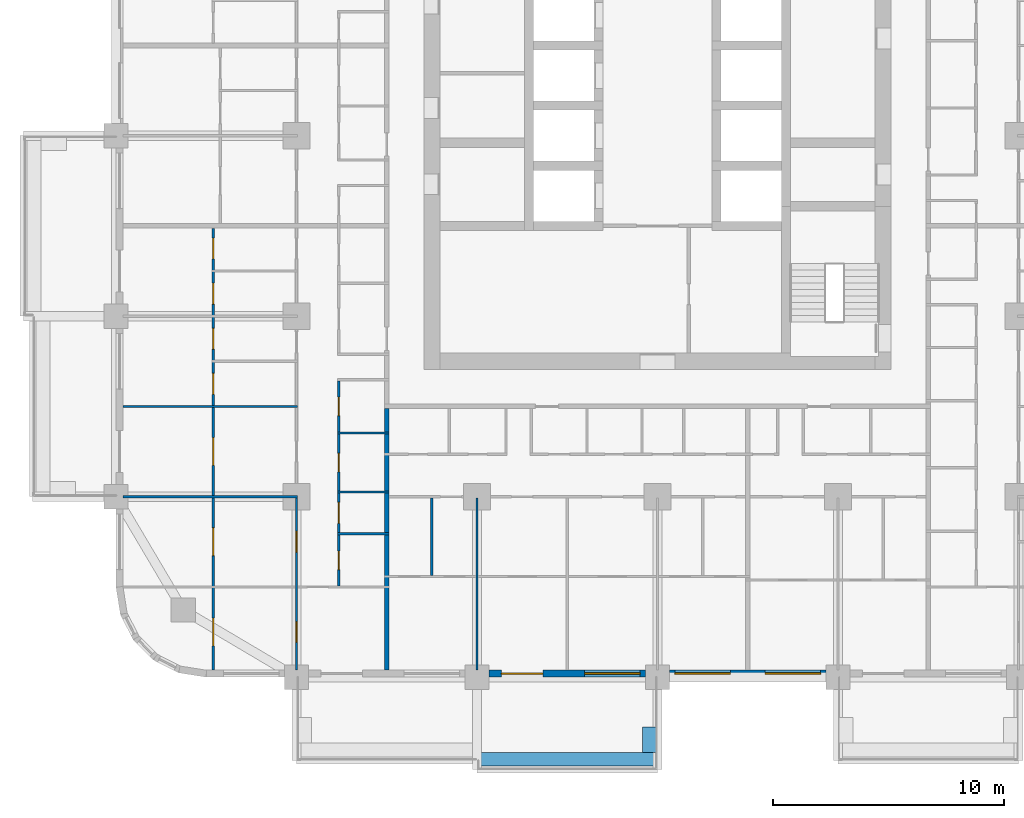
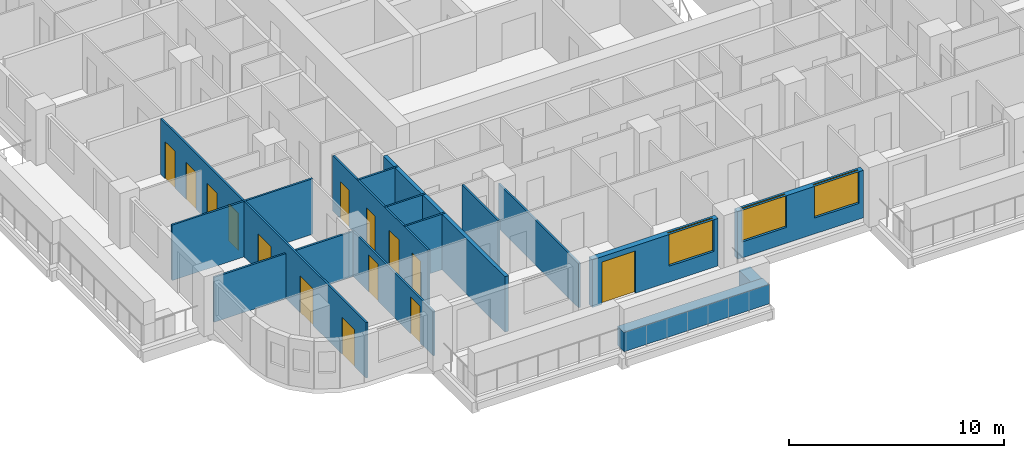
# One storey, part 3 of 17: 15 walls, 14 doors, 3 windows, 17 openings.
"""IFC4 building model written with IfcOpenShell, lengths in metres."""

from ifc_helpers import new_model, si_unit, direction, frame, frame_2d, origin, place, context, subcontext, project, spatial, rectangle, extrude, material, layer, layer_set, type_object, element, fill, save


model = new_model("IFC4")

# Units and contexts
model_context = context("Model", 3, precision=1e-05, world=origin(), true_north=direction((0.0, 1.0)))
body_context = subcontext(model_context, "Body", "Model", "MODEL_VIEW")
ifc_project = project(units=[si_unit("LENGTHUNIT", "METRE"), si_unit("AREAUNIT", "SQUARE_METRE"), si_unit("VOLUMEUNIT", "CUBIC_METRE"), si_unit("PLANEANGLEUNIT", "RADIAN"), si_unit("MASSUNIT", "GRAM", prefix="KILO")], contexts=[model_context])

# Site, building, storey
site_placement = place(None, origin())
site = spatial("IfcSite", under=ifc_project, at=site_placement, CompositionType="ELEMENT")
building_placement = place(site_placement, origin())
building = spatial("IfcBuilding", under=site, at=building_placement, Name="Ludao Terraces", CompositionType="ELEMENT")
storey_placement = place(building_placement, frame((0.0, 0.0, 19.5)))
storey = spatial("IfcBuildingStorey", under=building, at=storey_placement, Name="L04", CompositionType="ELEMENT", Elevation=19.5)

# Walls
ifc_material_1 = material(Name="Concrete C40", Category="concrete")
ifc_layer_1 = layer(ifc_material_1, 0.60009765625)
ifc_layer_set_1 = layer_set([ifc_layer_1], Name="ENV Planter trough 600")
wall_type_1 = type_object("IfcWallType", Name="ENV Planter trough 600", PredefinedType="USERDEFINED", material=ifc_layer_set_1)
wall_1_placement = place(storey_placement, frame((77.199951171875, 38.050048828125, 0.0), z_axis=(0.0, 0.0, 1.0), x_axis=(1.0, 0.0, 0.0)))
element("IfcWall", 1, at=wall_1_placement, inside=storey, type_object=wall_type_1, Name="PL-L04-S2", ObjectType="PLANTER", PredefinedType="USERDEFINED", context=body_context, shape_type="SweptSolid", body=[
    extrude(rectangle(XDim=7.800048828125, YDim=0.60009765625, at=frame_2d((3.89990234375, 0.0))), origin(), (0.0, 0.0, 1.0), 1.10009765625),
])
wall_2_placement = place(storey_placement, frame((84.64990234375, 38.35009765625, 0.0), z_axis=(0.0, 0.0, 1.0), x_axis=(0.0, 1.0, 0.0)))
element("IfcWall", 2, at=wall_2_placement, inside=storey, type_object=wall_type_1, Name="PL-L04-S2-SB", ObjectType="PLANTER", PredefinedType="USERDEFINED", context=body_context, shape_type="SweptSolid", body=[
    extrude(rectangle(XDim=1.099853515625, YDim=0.60009765625, at=frame_2d((0.5498046875, 0.0))), origin(), (0.0, 0.0, 1.0), 1.10009765625),
])

# Wall, openings, door, window
ifc_material_2 = material(Name="Granite cladding", Category="masonry")
ifc_layer_2 = layer(ifc_material_2, 0.0400390625, Category="stone")
ifc_material_3 = material(Name="Mineral wool")
ifc_layer_3 = layer(ifc_material_3, 0.06005859375)
ifc_layer_4 = layer(ifc_material_1, 0.199951171875, Category="concrete")
ifc_layer_set_2 = layer_set([ifc_layer_2, ifc_layer_3, ifc_layer_4], Name="ENV Stone-clad wall 300")
wall_type_2 = type_object("IfcWallType", Name="ENV Stone-clad wall 300", PredefinedType="SOLIDWALL", material=ifc_layer_set_2)
wall_3_placement = place(storey_placement, frame((77.72509765625, 41.75, 0.0), z_axis=(0.0, 0.0, 1.0), x_axis=(1.0, 0.0, 0.0)))
wall_3 = element("IfcWall", 3, at=wall_3_placement, inside=storey, type_object=wall_type_2, Name="EW-L04-S3", PredefinedType="SOLIDWALL", context=body_context, shape_type="SweptSolid", body=[
    extrude(rectangle(XDim=6.75, YDim=0.300048828125, at=frame_2d((3.375, 0.0))), origin(), (0.0, 0.0, 1.0), 2.699951171875),
])
opening_1_placement = place(wall_3_placement, frame((0.52490234375, 0.0, 0.0)))
opening_1 = element("IfcOpeningElement", 4, at=opening_1_placement, cuts=wall_3, Name="Opening BD", PredefinedType="OPENING", context=body_context, shape_type="SweptSolid", body=[
    extrude(rectangle(XDim=1.800048828125, YDim=2.39990234375, at=frame_2d((0.89990234375, 1.199951171875))), frame((0.0, 0.16015625, 0.0), z_axis=(0.0, -1.0, 0.0), x_axis=(1.0, 0.0, 0.0)), (0.0, 0.0, 1.0), 0.320068359375),
])
opening_2_placement = place(wall_3_placement, frame((4.125, 0.0, 0.89990234375)))
opening_2 = element("IfcOpeningElement", 5, at=opening_2_placement, cuts=wall_3, Name="Opening W1", PredefinedType="OPENING", context=body_context, shape_type="SweptSolid", body=[
    extrude(rectangle(XDim=2.39990234375, YDim=1.800048828125, at=frame_2d((1.199951171875, 0.89990234375))), frame((0.0, 0.16015625, 0.0), z_axis=(0.0, -1.0, 0.0), x_axis=(1.0, 0.0, 0.0)), (0.0, 0.0, 1.0), 0.320068359375),
])
ifc_material_4 = material(Name="Aluminium glazed door", Category="aluminium")
ifc_layer_5 = layer(ifc_material_4, 0.06005859375)
ifc_layer_set_3 = layer_set([ifc_layer_5], Name="ENV Balcony door BD 1800x2400")
door_type_1 = type_object("IfcDoorType", Name="ENV Balcony door BD 1800x2400", OperationType="DOUBLE_DOOR_SINGLE_SWING", PredefinedType="DOOR", material=ifc_layer_set_3)
door_1_placement = place(opening_1_placement, origin())
door_1 = element("IfcDoor", 6, at=door_1_placement, inside=storey, type_object=door_type_1, Name="BD-L04-S3-1", OperationType="DOUBLE_DOOR_SINGLE_SWING", OverallHeight=2.39990234375, OverallWidth=1.800048828125, PredefinedType="DOOR", context=body_context, shape_type="SweptSolid", body=[
    extrude(rectangle(XDim=1.800048828125, YDim=2.39990234375, at=frame_2d((0.89990234375, 1.199951171875))), frame((0.0, 0.02490234375, 0.0), z_axis=(0.0, -1.0, 0.0), x_axis=(1.0, 0.0, 0.0)), (0.0, 0.0, 1.0), 0.050048828125),
])
fill(opening_1, door_1)
ifc_material_5 = material(Name="Clear glass in aluminium frame", Category="aluminium")
ifc_layer_6 = layer(ifc_material_5, 0.06005859375)
ifc_layer_set_4 = layer_set([ifc_layer_6], Name="ENV Window W1 2400x1800")
window_type = type_object("IfcWindowType", Name="ENV Window W1 2400x1800", PartitioningType="DOUBLE_PANEL_VERTICAL", PredefinedType="WINDOW", material=ifc_layer_set_4)
window_1_placement = place(opening_2_placement, origin())
window_1 = element("IfcWindow", 7, at=window_1_placement, inside=storey, type_object=window_type, Name="W-L04-S3-2", OverallHeight=1.800048828125, OverallWidth=2.39990234375, PartitioningType="DOUBLE_PANEL_VERTICAL", PredefinedType="WINDOW", context=body_context, shape_type="SweptSolid", body=[
    extrude(rectangle(XDim=2.39990234375, YDim=1.800048828125, at=frame_2d((1.199951171875, 0.89990234375))), frame((0.0, 0.030029296875, 0.0), z_axis=(0.0, -1.0, 0.0), x_axis=(1.0, 0.0, 0.0)), (0.0, 0.0, 1.0), 0.06005859375),
])
fill(opening_2, window_1)

# Wall, openings, windows
wall_4_placement = place(storey_placement, frame((85.52490234375, 41.75, 0.0), z_axis=(0.0, 0.0, 1.0), x_axis=(1.0, 0.0, 0.0)))
wall_4 = element("IfcWall", 8, at=wall_4_placement, inside=storey, type_object=wall_type_2, Name="EW-L04-S4", PredefinedType="SOLIDWALL", context=body_context, shape_type="SweptSolid", body=[
    extrude(rectangle(XDim=6.75, YDim=0.300048828125, at=frame_2d((3.375, 0.0))), origin(), (0.0, 0.0, 1.0), 2.699951171875),
])
opening_3_placement = place(wall_4_placement, frame((0.22509765625, 0.0, 0.89990234375)))
opening_3 = element("IfcOpeningElement", 9, at=opening_3_placement, cuts=wall_4, Name="Opening W1", PredefinedType="OPENING", context=body_context, shape_type="SweptSolid", body=[
    extrude(rectangle(XDim=2.39990234375, YDim=1.800048828125, at=frame_2d((1.199951171875, 0.89990234375))), frame((0.0, 0.16015625, 0.0), z_axis=(0.0, -1.0, 0.0), x_axis=(1.0, 0.0, 0.0)), (0.0, 0.0, 1.0), 0.320068359375),
])
opening_4_placement = place(wall_4_placement, frame((4.125, 0.0, 0.89990234375)))
opening_4 = element("IfcOpeningElement", 10, at=opening_4_placement, cuts=wall_4, Name="Opening W1", PredefinedType="OPENING", context=body_context, shape_type="SweptSolid", body=[
    extrude(rectangle(XDim=2.39990234375, YDim=1.800048828125, at=frame_2d((1.199951171875, 0.89990234375))), frame((0.0, 0.16015625, 0.0), z_axis=(0.0, -1.0, 0.0), x_axis=(1.0, 0.0, 0.0)), (0.0, 0.0, 1.0), 0.320068359375),
])
window_2_placement = place(opening_3_placement, origin())
window_2 = element("IfcWindow", 11, at=window_2_placement, inside=storey, type_object=window_type, Name="W-L04-S4-1", OverallHeight=1.800048828125, OverallWidth=2.39990234375, PartitioningType="DOUBLE_PANEL_VERTICAL", PredefinedType="WINDOW", context=body_context, shape_type="SweptSolid", body=[
    extrude(rectangle(XDim=2.39990234375, YDim=1.800048828125, at=frame_2d((1.199951171875, 0.89990234375))), frame((0.0, 0.030029296875, 0.0), z_axis=(0.0, -1.0, 0.0), x_axis=(1.0, 0.0, 0.0)), (0.0, 0.0, 1.0), 0.06005859375),
])
fill(opening_3, window_2)
window_3_placement = place(opening_4_placement, origin())
window_3 = element("IfcWindow", 12, at=window_3_placement, inside=storey, type_object=window_type, Name="W-L04-S4-2", OverallHeight=1.800048828125, OverallWidth=2.39990234375, PartitioningType="DOUBLE_PANEL_VERTICAL", PredefinedType="WINDOW", context=body_context, shape_type="SweptSolid", body=[
    extrude(rectangle(XDim=2.39990234375, YDim=1.800048828125, at=frame_2d((1.199951171875, 0.89990234375))), frame((0.0, 0.030029296875, 0.0), z_axis=(0.0, -1.0, 0.0), x_axis=(1.0, 0.0, 0.0)), (0.0, 0.0, 1.0), 0.06005859375),
])
fill(opening_4, window_3)

# Walls
ifc_material_6 = material(Name="Gypsum plasterboard", Category="gypsum")
ifc_layer_7 = layer(ifc_material_6, 0.012451171875, Category="gypsum")
ifc_layer_8 = layer(ifc_material_3, 0.06005859375, Name="insulation")
ifc_material_7 = material(Name="Steel Q235", Category="steel")
ifc_layer_9 = layer(ifc_material_7, 0.014892578125, Name="stud")
ifc_layer_10 = layer(ifc_material_6, 0.012451171875, Category="gypsum")
ifc_layer_set_5 = layer_set([ifc_layer_7, ifc_layer_8, ifc_layer_9, ifc_layer_10], Name="INT Partition 100")
wall_type_3 = type_object("IfcWallType", Name="INT Partition 100", PredefinedType="PARTITIONING", material=ifc_layer_set_5)
wall_5_placement = place(storey_placement, frame((71.18017578125, 47.800048828125, 0.0), z_axis=(0.0, 0.0, 1.0), x_axis=(1.0, 0.0, 0.0)))
element("IfcWall", 13, at=wall_5_placement, inside=storey, type_object=wall_type_3, Name="PW-L04-PW005", PredefinedType="PARTITIONING", context=body_context, shape_type="SweptSolid", body=[
    extrude(rectangle(XDim=2.219970703125, YDim=0.10009765625, at=frame_2d((1.10986328125, 0.0))), origin(), (0.0, 0.0, 1.0), 3.14990234375),
])
wall_6_placement = place(storey_placement, frame((61.900146484375, 49.39990234375, 0.0), z_axis=(0.0, 0.0, 1.0), x_axis=(1.0, 0.0, 0.0)))
element("IfcWall", 14, at=wall_6_placement, inside=storey, type_object=wall_type_3, Name="PW-L04-PW007", PredefinedType="PARTITIONING", context=body_context, shape_type="SweptSolid", body=[
    extrude(rectangle(XDim=7.550048828125, YDim=0.10009765625, at=frame_2d((3.77490234375, 0.0))), origin(), (0.0, 0.0, 1.0), 2.550048828125),
])
for number, where, z_axis, x_axis, name in (
    (15, (71.18017578125, 49.60009765625, 0.0), (0.0, 0.0, 1.0), (1.0, 0.0, 0.0), "PW-L04-PW010"),
    (16, (71.18017578125, 52.14990234375, 0.0), (0.0, 0.0, 1.0), (1.0, 0.0, 0.0), "PW-L04-PW015"),
):
    element("IfcWall", number, at=place(storey_placement, frame(where, z_axis=z_axis, x_axis=x_axis)), inside=storey, type_object=wall_type_3, Name=name, PredefinedType="PARTITIONING", context=body_context, shape_type="SweptSolid", body=[
        extrude(rectangle(XDim=2.219970703125, YDim=0.10009765625, at=frame_2d((1.10986328125, 0.0))), origin(), (0.0, 0.0, 1.0), 3.14990234375),
    ])
wall_7_placement = place(storey_placement, frame((61.900146484375, 53.300048828125, 0.0), z_axis=(0.0, 0.0, 1.0), x_axis=(1.0, 0.0, 0.0)))
element("IfcWall", 17, at=wall_7_placement, inside=storey, type_object=wall_type_3, Name="PW-L04-PW016", PredefinedType="PARTITIONING", context=body_context, shape_type="SweptSolid", body=[
    extrude(rectangle(XDim=7.550048828125, YDim=0.10009765625, at=frame_2d((3.77490234375, 0.0))), origin(), (0.0, 0.0, 1.0), 3.14990234375),
])

# Wall, openings, doors
wall_8_placement = place(storey_placement, frame((65.800048828125, 41.900146484375, 0.0), z_axis=(0.0, 0.0, 1.0), x_axis=(0.0, 1.0, 0.0)))
wall_8 = element("IfcWall", 18, at=wall_8_placement, inside=storey, type_object=wall_type_3, Name="PW-L04-PW073", PredefinedType="PARTITIONING", context=body_context, shape_type="SweptSolid", body=[
    extrude(rectangle(XDim=19.099853515625, YDim=0.10009765625, at=frame_2d((9.5498046875, 0.0))), origin(), (0.0, 0.0, 1.0), 3.14990234375),
])
opening_5_placement = place(wall_8_placement, frame((1.050048828125, 0.0, 0.0)))
opening_5 = element("IfcOpeningElement", 19, at=opening_5_placement, cuts=wall_8, Name="Opening R01-001", PredefinedType="OPENING", context=body_context, shape_type="SweptSolid", body=[
    extrude(rectangle(XDim=1.199951171875, YDim=2.10009765625, at=frame_2d((0.60009765625, 1.050048828125))), frame((0.0, 0.06005859375, 0.0), z_axis=(0.0, -1.0, 0.0), x_axis=(1.0, 0.0, 0.0)), (0.0, 0.0, 1.0), 0.1201171875),
])
opening_6_placement = place(wall_8_placement, frame((4.949951171875, 0.0, 0.0)))
opening_6 = element("IfcOpeningElement", 20, at=opening_6_placement, cuts=wall_8, Name="Opening R01-019", PredefinedType="OPENING", context=body_context, shape_type="SweptSolid", body=[
    extrude(rectangle(XDim=1.199951171875, YDim=2.10009765625, at=frame_2d((0.60009765625, 1.050048828125))), frame((0.0, 0.06005859375, 0.0), z_axis=(0.0, -1.0, 0.0), x_axis=(1.0, 0.0, 0.0)), (0.0, 0.0, 1.0), 0.1201171875),
])
opening_7_placement = place(wall_8_placement, frame((8.85009765625, 0.0, 0.0)))
opening_7 = element("IfcOpeningElement", 21, at=opening_7_placement, cuts=wall_8, Name="Opening R01-041", PredefinedType="OPENING", context=body_context, shape_type="SweptSolid", body=[
    extrude(rectangle(XDim=1.199951171875, YDim=2.10009765625, at=frame_2d((0.60009765625, 1.050048828125))), frame((0.0, 0.06005859375, 0.0), z_axis=(0.0, -1.0, 0.0), x_axis=(1.0, 0.0, 0.0)), (0.0, 0.0, 1.0), 0.1201171875),
])
opening_8_placement = place(wall_8_placement, frame((11.925048828125, 0.0, 0.0)))
opening_8 = element("IfcOpeningElement", 22, at=opening_8_placement, cuts=wall_8, Name="Opening R01-049", PredefinedType="OPENING", context=body_context, shape_type="SweptSolid", body=[
    extrude(rectangle(XDim=0.89990234375, YDim=2.10009765625, at=frame_2d((0.449951171875, 1.050048828125))), frame((0.0, 0.06005859375, 0.0), z_axis=(0.0, -1.0, 0.0), x_axis=(1.0, 0.0, 0.0)), (0.0, 0.0, 1.0), 0.1201171875),
])
opening_9_placement = place(wall_8_placement, frame((13.875, 0.0, 0.0)))
opening_9 = element("IfcOpeningElement", 23, at=opening_9_placement, cuts=wall_8, Name="Opening R01-055", PredefinedType="OPENING", context=body_context, shape_type="SweptSolid", body=[
    extrude(rectangle(XDim=0.89990234375, YDim=2.10009765625, at=frame_2d((0.449951171875, 1.050048828125))), frame((0.0, 0.06005859375, 0.0), z_axis=(0.0, -1.0, 0.0), x_axis=(1.0, 0.0, 0.0)), (0.0, 0.0, 1.0), 0.1201171875),
])
opening_10_placement = place(wall_8_placement, frame((15.824951171875, 0.0, 0.0)))
opening_10 = element("IfcOpeningElement", 24, at=opening_10_placement, cuts=wall_8, Name="Opening R01-061", PredefinedType="OPENING", context=body_context, shape_type="SweptSolid", body=[
    extrude(rectangle(XDim=0.89990234375, YDim=2.10009765625, at=frame_2d((0.449951171875, 1.050048828125))), frame((0.0, 0.06005859375, 0.0), z_axis=(0.0, -1.0, 0.0), x_axis=(1.0, 0.0, 0.0)), (0.0, 0.0, 1.0), 0.1201171875),
])
opening_11_placement = place(wall_8_placement, frame((17.77490234375, 0.0, 0.0)))
opening_11 = element("IfcOpeningElement", 25, at=opening_11_placement, cuts=wall_8, Name="Opening R01-066", PredefinedType="OPENING", context=body_context, shape_type="SweptSolid", body=[
    extrude(rectangle(XDim=0.89990234375, YDim=2.10009765625, at=frame_2d((0.449951171875, 1.050048828125))), frame((0.0, 0.06005859375, 0.0), z_axis=(0.0, -1.0, 0.0), x_axis=(1.0, 0.0, 0.0)), (0.0, 0.0, 1.0), 0.1201171875),
])
ifc_material_8 = material(Name="Timber door leaf", Category="wood")
door_type_2 = type_object("IfcDoorType", Name="INT Bathroom door 900", OperationType="SINGLE_SWING_LEFT", PredefinedType="DOOR", material=ifc_material_8)
door_2_placement = place(opening_8_placement, origin())
door_2 = element("IfcDoor", 26, at=door_2_placement, inside=storey, type_object=door_type_2, Name="DOOR 049", OperationType="SINGLE_SWING_RIGHT", OverallHeight=2.10009765625, OverallWidth=0.89990234375, PredefinedType="DOOR", context=body_context, shape_type="SweptSolid", body=[
    extrude(rectangle(XDim=0.89990234375, YDim=2.10009765625, at=frame_2d((0.449951171875, 1.050048828125))), frame((0.0, 0.02490234375, 0.0), z_axis=(0.0, -1.0, 0.0), x_axis=(1.0, 0.0, 0.0)), (0.0, 0.0, 1.0), 0.050048828125),
])
fill(opening_8, door_2)
door_3_placement = place(opening_10_placement, origin())
door_3 = element("IfcDoor", 27, at=door_3_placement, inside=storey, type_object=door_type_2, Name="DOOR 061", OperationType="SINGLE_SWING_LEFT", OverallHeight=2.10009765625, OverallWidth=0.89990234375, PredefinedType="DOOR", context=body_context, shape_type="SweptSolid", body=[
    extrude(rectangle(XDim=0.89990234375, YDim=2.10009765625, at=frame_2d((0.449951171875, 1.050048828125))), frame((0.0, 0.02490234375, 0.0), z_axis=(0.0, -1.0, 0.0), x_axis=(1.0, 0.0, 0.0)), (0.0, 0.0, 1.0), 0.050048828125),
])
fill(opening_10, door_3)
door_type_3 = type_object("IfcDoorType", Name="INT Double door 1200", OperationType="DOUBLE_DOOR_SINGLE_SWING", PredefinedType="DOOR", material=ifc_material_8)
door_4_placement = place(opening_5_placement, origin())
door_4 = element("IfcDoor", 28, at=door_4_placement, inside=storey, type_object=door_type_3, Name="DOOR 001", OperationType="DOUBLE_DOOR_SINGLE_SWING", OverallHeight=2.10009765625, OverallWidth=1.199951171875, PredefinedType="DOOR", context=body_context, shape_type="SweptSolid", body=[
    extrude(rectangle(XDim=1.199951171875, YDim=2.10009765625, at=frame_2d((0.60009765625, 1.050048828125))), frame((0.0, 0.02490234375, 0.0), z_axis=(0.0, -1.0, 0.0), x_axis=(1.0, 0.0, 0.0)), (0.0, 0.0, 1.0), 0.050048828125),
])
fill(opening_5, door_4)
door_5_placement = place(opening_6_placement, origin())
door_5 = element("IfcDoor", 29, at=door_5_placement, inside=storey, type_object=door_type_3, Name="DOOR 019", OperationType="DOUBLE_DOOR_SINGLE_SWING", OverallHeight=2.10009765625, OverallWidth=1.199951171875, PredefinedType="DOOR", context=body_context, shape_type="SweptSolid", body=[
    extrude(rectangle(XDim=1.199951171875, YDim=2.10009765625, at=frame_2d((0.60009765625, 1.050048828125))), frame((0.0, 0.02490234375, 0.0), z_axis=(0.0, -1.0, 0.0), x_axis=(1.0, 0.0, 0.0)), (0.0, 0.0, 1.0), 0.050048828125),
])
fill(opening_6, door_5)
door_6_placement = place(opening_7_placement, origin())
door_6 = element("IfcDoor", 30, at=door_6_placement, inside=storey, type_object=door_type_3, Name="DOOR 041", OperationType="DOUBLE_DOOR_SINGLE_SWING", OverallHeight=2.10009765625, OverallWidth=1.199951171875, PredefinedType="DOOR", context=body_context, shape_type="SweptSolid", body=[
    extrude(rectangle(XDim=1.199951171875, YDim=2.10009765625, at=frame_2d((0.60009765625, 1.050048828125))), frame((0.0, 0.02490234375, 0.0), z_axis=(0.0, -1.0, 0.0), x_axis=(1.0, 0.0, 0.0)), (0.0, 0.0, 1.0), 0.050048828125),
])
fill(opening_7, door_6)
door_type_4 = type_object("IfcDoorType", Name="INT Room door 900", OperationType="SINGLE_SWING_LEFT", PredefinedType="DOOR", material=ifc_material_8)
door_7_placement = place(opening_9_placement, origin())
door_7 = element("IfcDoor", 31, at=door_7_placement, inside=storey, type_object=door_type_4, Name="DOOR 055", OperationType="SINGLE_SWING_RIGHT", OverallHeight=2.10009765625, OverallWidth=0.89990234375, PredefinedType="DOOR", context=body_context, shape_type="SweptSolid", body=[
    extrude(rectangle(XDim=0.89990234375, YDim=2.10009765625, at=frame_2d((0.449951171875, 1.050048828125))), frame((0.0, 0.02490234375, 0.0), z_axis=(0.0, -1.0, 0.0), x_axis=(1.0, 0.0, 0.0)), (0.0, 0.0, 1.0), 0.050048828125),
])
fill(opening_9, door_7)
door_8_placement = place(opening_11_placement, origin())
door_8 = element("IfcDoor", 32, at=door_8_placement, inside=storey, type_object=door_type_4, Name="DOOR 066", OperationType="SINGLE_SWING_LEFT", OverallHeight=2.10009765625, OverallWidth=0.89990234375, PredefinedType="DOOR", context=body_context, shape_type="SweptSolid", body=[
    extrude(rectangle(XDim=0.89990234375, YDim=2.10009765625, at=frame_2d((0.449951171875, 1.050048828125))), frame((0.0, 0.02490234375, 0.0), z_axis=(0.0, -1.0, 0.0), x_axis=(1.0, 0.0, 0.0)), (0.0, 0.0, 1.0), 0.050048828125),
])
fill(opening_11, door_8)

wall_9_placement = place(storey_placement, frame((69.39990234375, 41.900146484375, 0.0), z_axis=(0.0, 0.0, 1.0), x_axis=(0.0, 1.0, 0.0)))
wall_9 = element("IfcWall", 33, at=wall_9_placement, inside=storey, type_object=wall_type_3, Name="PW-L04-PW077", PredefinedType="PARTITIONING", context=body_context, shape_type="SweptSolid", body=[
    extrude(rectangle(XDim=7.499755859375, YDim=0.10009765625, at=frame_2d((3.75, 0.0))), origin(), (0.0, 0.0, 1.0), 2.550048828125),
])
opening_12_placement = place(wall_9_placement, frame((1.199951171875, 0.0, 0.0)))
opening_12 = element("IfcOpeningElement", 34, at=opening_12_placement, cuts=wall_9, Name="Opening R01-002", PredefinedType="OPENING", context=body_context, shape_type="SweptSolid", body=[
    extrude(rectangle(XDim=0.89990234375, YDim=2.10009765625, at=frame_2d((0.449951171875, 1.050048828125))), frame((0.0, 0.06005859375, 0.0), z_axis=(0.0, -1.0, 0.0), x_axis=(1.0, 0.0, 0.0)), (0.0, 0.0, 1.0), 0.1201171875),
])
opening_13_placement = place(wall_9_placement, frame((5.10009765625, 0.0, 0.0)))
opening_13 = element("IfcOpeningElement", 35, at=opening_13_placement, cuts=wall_9, Name="Opening R01-020", PredefinedType="OPENING", context=body_context, shape_type="SweptSolid", body=[
    extrude(rectangle(XDim=0.89990234375, YDim=2.10009765625, at=frame_2d((0.449951171875, 1.050048828125))), frame((0.0, 0.06005859375, 0.0), z_axis=(0.0, -1.0, 0.0), x_axis=(1.0, 0.0, 0.0)), (0.0, 0.0, 1.0), 0.1201171875),
])
door_9_placement = place(opening_12_placement, origin())
door_9 = element("IfcDoor", 36, at=door_9_placement, inside=storey, type_object=door_type_4, Name="DOOR 002", OperationType="SINGLE_SWING_LEFT", OverallHeight=2.10009765625, OverallWidth=0.89990234375, PredefinedType="DOOR", context=body_context, shape_type="SweptSolid", body=[
    extrude(rectangle(XDim=0.89990234375, YDim=2.10009765625, at=frame_2d((0.449951171875, 1.050048828125))), frame((0.0, 0.02490234375, 0.0), z_axis=(0.0, -1.0, 0.0), x_axis=(1.0, 0.0, 0.0)), (0.0, 0.0, 1.0), 0.050048828125),
])
fill(opening_12, door_9)
door_10_placement = place(opening_13_placement, origin())
door_10 = element("IfcDoor", 37, at=door_10_placement, inside=storey, type_object=door_type_4, Name="DOOR 020", OperationType="SINGLE_SWING_RIGHT", OverallHeight=2.10009765625, OverallWidth=0.89990234375, PredefinedType="DOOR", context=body_context, shape_type="SweptSolid", body=[
    extrude(rectangle(XDim=0.89990234375, YDim=2.10009765625, at=frame_2d((0.449951171875, 1.050048828125))), frame((0.0, 0.02490234375, 0.0), z_axis=(0.0, -1.0, 0.0), x_axis=(1.0, 0.0, 0.0)), (0.0, 0.0, 1.0), 0.050048828125),
])
fill(opening_13, door_10)

wall_10_placement = place(storey_placement, frame((71.22998046875, 45.550048828125, 0.0), z_axis=(0.0, 0.0, 1.0), x_axis=(0.0, 1.0, 0.0)))
wall_10 = element("IfcWall", 38, at=wall_10_placement, inside=storey, type_object=wall_type_3, Name="PW-L04-PW078", PredefinedType="PARTITIONING", context=body_context, shape_type="SweptSolid", body=[
    extrude(rectangle(XDim=8.85009765625, YDim=0.10009765625, at=frame_2d((4.425048828125, 0.0))), origin(), (0.0, 0.0, 1.0), 3.14990234375),
])
opening_14_placement = place(wall_10_placement, frame((0.699951171875, 0.0, 0.0)))
opening_14 = element("IfcOpeningElement", 39, at=opening_14_placement, cuts=wall_10, Name="Opening R01-017", PredefinedType="OPENING", context=body_context, shape_type="SweptSolid", body=[
    extrude(rectangle(XDim=0.800048828125, YDim=2.10009765625, at=frame_2d((0.39990234375, 1.050048828125))), frame((0.0, 0.06005859375, 0.0), z_axis=(0.0, -1.0, 0.0), x_axis=(1.0, 0.0, 0.0)), (0.0, 0.0, 1.0), 0.1201171875),
])
opening_15_placement = place(wall_10_placement, frame((2.699951171875, 0.0, 0.0)))
opening_15 = element("IfcOpeningElement", 40, at=opening_15_placement, cuts=wall_10, Name="Opening R01-023", PredefinedType="OPENING", context=body_context, shape_type="SweptSolid", body=[
    extrude(rectangle(XDim=0.89990234375, YDim=2.10009765625, at=frame_2d((0.449951171875, 1.050048828125))), frame((0.0, 0.06005859375, 0.0), z_axis=(0.0, -1.0, 0.0), x_axis=(1.0, 0.0, 0.0)), (0.0, 0.0, 1.0), 0.1201171875),
])
opening_16_placement = place(wall_10_placement, frame((4.925048828125, 0.0, 0.0)))
opening_16 = element("IfcOpeningElement", 41, at=opening_16_placement, cuts=wall_10, Name="Opening R01-031", PredefinedType="OPENING", context=body_context, shape_type="SweptSolid", body=[
    extrude(rectangle(XDim=0.800048828125, YDim=2.10009765625, at=frame_2d((0.39990234375, 1.050048828125))), frame((0.0, 0.06005859375, 0.0), z_axis=(0.0, -1.0, 0.0), x_axis=(1.0, 0.0, 0.0)), (0.0, 0.0, 1.0), 0.1201171875),
])
opening_17_placement = place(wall_10_placement, frame((7.35009765625, 0.0, 0.0)))
opening_17 = element("IfcOpeningElement", 42, at=opening_17_placement, cuts=wall_10, Name="Opening R01-046", PredefinedType="OPENING", context=body_context, shape_type="SweptSolid", body=[
    extrude(rectangle(XDim=0.800048828125, YDim=2.10009765625, at=frame_2d((0.39990234375, 1.050048828125))), frame((0.0, 0.06005859375, 0.0), z_axis=(0.0, -1.0, 0.0), x_axis=(1.0, 0.0, 0.0)), (0.0, 0.0, 1.0), 0.1201171875),
])
door_11_placement = place(opening_15_placement, origin())
door_11 = element("IfcDoor", 43, at=door_11_placement, inside=storey, type_object=door_type_2, Name="DOOR 023", OperationType="SINGLE_SWING_RIGHT", OverallHeight=2.10009765625, OverallWidth=0.89990234375, PredefinedType="DOOR", context=body_context, shape_type="SweptSolid", body=[
    extrude(rectangle(XDim=0.89990234375, YDim=2.10009765625, at=frame_2d((0.449951171875, 1.050048828125))), frame((0.0, 0.02490234375, 0.0), z_axis=(0.0, -1.0, 0.0), x_axis=(1.0, 0.0, 0.0)), (0.0, 0.0, 1.0), 0.050048828125),
])
fill(opening_15, door_11)
door_type_5 = type_object("IfcDoorType", Name="INT Store door 800", OperationType="SINGLE_SWING_LEFT", PredefinedType="DOOR", material=ifc_material_8)
door_12_placement = place(opening_14_placement, origin())
door_12 = element("IfcDoor", 44, at=door_12_placement, inside=storey, type_object=door_type_5, Name="DOOR 017", OperationType="SINGLE_SWING_RIGHT", OverallHeight=2.10009765625, OverallWidth=0.800048828125, PredefinedType="DOOR", context=body_context, shape_type="SweptSolid", body=[
    extrude(rectangle(XDim=0.800048828125, YDim=2.10009765625, at=frame_2d((0.39990234375, 1.050048828125))), frame((0.0, 0.02490234375, 0.0), z_axis=(0.0, -1.0, 0.0), x_axis=(1.0, 0.0, 0.0)), (0.0, 0.0, 1.0), 0.050048828125),
])
fill(opening_14, door_12)
door_13_placement = place(opening_16_placement, origin())
door_13 = element("IfcDoor", 45, at=door_13_placement, inside=storey, type_object=door_type_5, Name="DOOR 031", OperationType="SINGLE_SWING_RIGHT", OverallHeight=2.10009765625, OverallWidth=0.800048828125, PredefinedType="DOOR", context=body_context, shape_type="SweptSolid", body=[
    extrude(rectangle(XDim=0.800048828125, YDim=2.10009765625, at=frame_2d((0.39990234375, 1.050048828125))), frame((0.0, 0.02490234375, 0.0), z_axis=(0.0, -1.0, 0.0), x_axis=(1.0, 0.0, 0.0)), (0.0, 0.0, 1.0), 0.050048828125),
])
fill(opening_16, door_13)
door_14_placement = place(opening_17_placement, origin())
door_14 = element("IfcDoor", 46, at=door_14_placement, inside=storey, type_object=door_type_5, Name="DOOR 046", OperationType="SINGLE_SWING_RIGHT", OverallHeight=2.10009765625, OverallWidth=0.800048828125, PredefinedType="DOOR", context=body_context, shape_type="SweptSolid", body=[
    extrude(rectangle(XDim=0.800048828125, YDim=2.10009765625, at=frame_2d((0.39990234375, 1.050048828125))), frame((0.0, 0.02490234375, 0.0), z_axis=(0.0, -1.0, 0.0), x_axis=(1.0, 0.0, 0.0)), (0.0, 0.0, 1.0), 0.050048828125),
])
fill(opening_17, door_14)

# Walls
wall_11_placement = place(storey_placement, frame((75.25, 46.0, 0.0), z_axis=(0.0, 0.0, 1.0), x_axis=(0.0, 1.0, 0.0)))
element("IfcWall", 47, at=wall_11_placement, inside=storey, type_object=wall_type_3, Name="PW-L04-PW086", PredefinedType="PARTITIONING", context=body_context, shape_type="SweptSolid", body=[
    extrude(rectangle(XDim=3.35009765625, YDim=0.10009765625, at=frame_2d((1.675048828125, 0.0))), origin(), (0.0, 0.0, 1.0), 3.14990234375),
])
wall_12_placement = place(storey_placement, frame((77.199951171875, 41.900146484375, 0.0), z_axis=(0.0, 0.0, 1.0), x_axis=(0.0, 1.0, 0.0)))
element("IfcWall", 48, at=wall_12_placement, inside=storey, type_object=wall_type_3, Name="PW-L04-PW088", PredefinedType="PARTITIONING", context=body_context, shape_type="SweptSolid", body=[
    extrude(rectangle(XDim=7.449951171875, YDim=0.10009765625, at=frame_2d((3.72509765625, 0.0))), origin(), (0.0, 0.0, 1.0), 2.550048828125),
])
ifc_material_9 = material(Name="Autoclaved aerated concrete block B06 A3.5", Category="concrete")
ifc_layer_11 = layer(ifc_material_9, 0.199951171875)
ifc_layer_set_6 = layer_set([ifc_layer_11], Name="INT Party wall 200")
wall_type_4 = type_object("IfcWallType", Name="INT Party wall 200", PredefinedType="PARTITIONING", material=ifc_layer_set_6)
wall_13_placement = place(storey_placement, frame((73.300048828125, 41.900146484375, 0.0), z_axis=(0.0, 0.0, 1.0), x_axis=(0.0, 1.0, 0.0)))
element("IfcWall", 49, at=wall_13_placement, inside=storey, type_object=wall_type_4, Name="PW-L04-PW083", PredefinedType="PARTITIONING", context=body_context, shape_type="SweptSolid", body=[
    extrude(rectangle(XDim=11.300048828125, YDim=0.199951171875, at=frame_2d((5.64990234375, 0.0))), origin(), (0.0, 0.0, 1.0), 3.14990234375),
])

save(model, "model.ifc")
